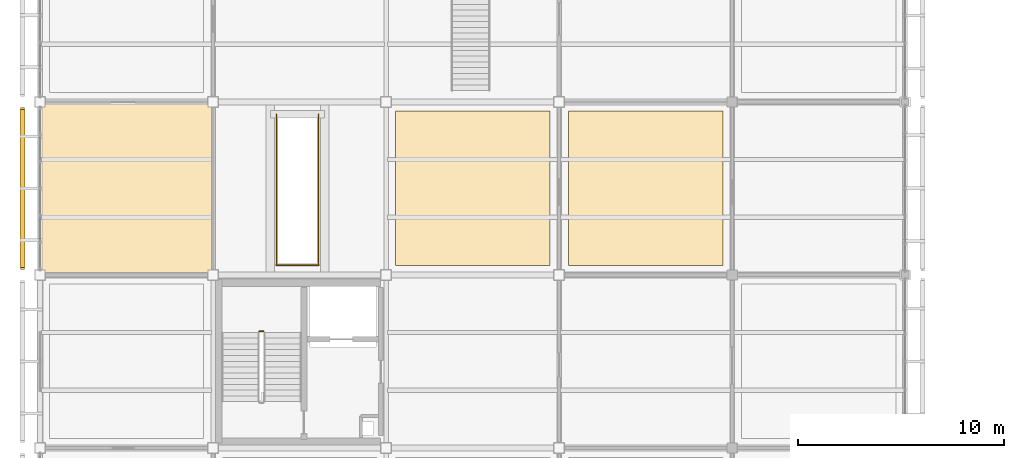
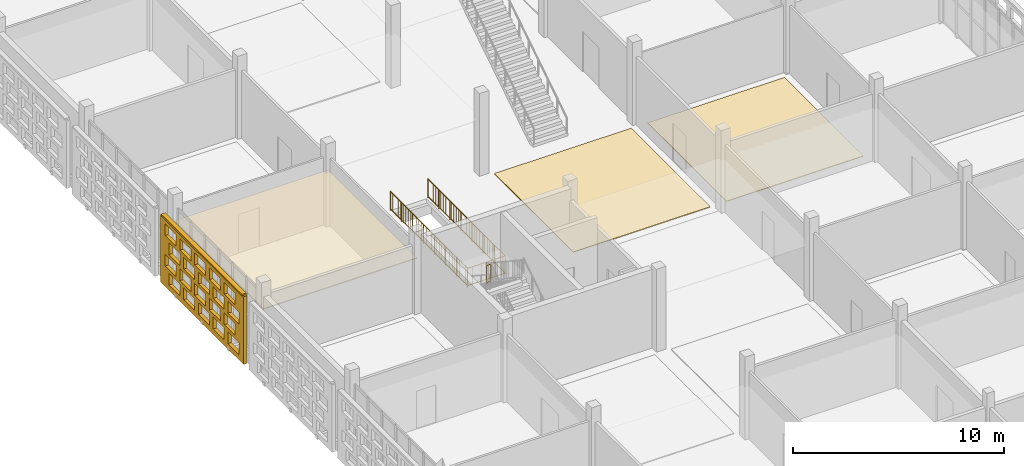
# One storey, part 157 of 203: 4 coverings, 4 railings, 1 shading device, 20 openings.
"""IFC4 building model written with IfcOpenShell, lengths in metres."""

from ifc_helpers import new_model, si_unit, direction, frame, frame_2d, origin, origin_2d, place, context, subcontext, project, spatial, rectangle, circle, extrude, material, layer, layer_set, type_object, element, save


model = new_model("IFC4")

# Units and contexts
model_context = context("Model", 3, precision=1e-05, world=origin(), true_north=direction((0.0, 1.0)))
body_context = subcontext(model_context, "Body", "Model", "MODEL_VIEW")
ifc_project = project(units=[si_unit("LENGTHUNIT", "METRE"), si_unit("AREAUNIT", "SQUARE_METRE"), si_unit("VOLUMEUNIT", "CUBIC_METRE"), si_unit("PLANEANGLEUNIT", "RADIAN"), si_unit("MASSUNIT", "GRAM", prefix="KILO")], contexts=[model_context])

# Site, building, storey
site_placement = place(None, origin())
site = spatial("IfcSite", under=ifc_project, at=site_placement, CompositionType="ELEMENT")
building_placement = place(site_placement, origin())
building = spatial("IfcBuilding", under=site, at=building_placement, Name="Varnapada Polytechnic", CompositionType="ELEMENT")
storey_placement = place(building_placement, frame((0.0, 0.0, 4.800048828125)))
storey = spatial("IfcBuildingStorey", under=building, at=storey_placement, Name="L01", CompositionType="ELEMENT", Elevation=4.800048828125)

# Coverings
ifc_material_1 = material(Name="Acoustic Rubber Seminar Flooring")
ifc_layer_1 = layer(ifc_material_1, 0.0400390625)
ifc_layer_set_1 = layer_set([ifc_layer_1], Name="Acoustic Rubber Seminar Flooring")
covering_type_1 = type_object("IfcCoveringType", Name="Floor Finish FLR-06", PredefinedType="FLOORING", material=ifc_layer_set_1)
for number, where, z_axis, x_axis, name in (
    (1, (21.0, 71.39990234375, 0.0), (0.0, 0.0, 1.0), (1.0, 0.0, 0.0), "L01 floor finish panel (3,9)"),
    (2, (29.39990234375, 71.39990234375, 0.0), (0.0, 0.0, 1.0), (1.0, 0.0, 0.0), "L01 floor finish panel (4,9)"),
):
    element("IfcCovering", number, at=place(storey_placement, frame(where, z_axis=z_axis, x_axis=x_axis)), inside=storey, type_object=covering_type_1, Name=name, PredefinedType="FLOORING", context=body_context, shape_type="SweptSolid", body=[
        extrude(rectangle(XDim=7.5, YDim=7.5, at=origin_2d()), origin(), (0.0, 0.0, 1.0), 0.0400390625),
    ])

# Railings
ifc_material_2 = material(Name="Brushed Stainless Steel 316", Category="steel")
railing_type = type_object("IfcRailingType", Name="Stair Well Guard Rail SGR-01", PredefinedType="BALUSTRADE", material=ifc_material_2)
railing_1_placement = place(storey_placement, frame((10.85009765625, 64.4599609375, 2.39990234375)))
element("IfcRailing", 3, at=railing_1_placement, inside=storey, type_object=railing_type, Name="L01 ST-2 stair guard 2", PredefinedType="BALUSTRADE", context=body_context, shape_type="SweptSolid", body=[
    extrude(circle(Radius=0.02392578125, at=origin_2d()), frame((0.0, 0.0, 1.09619140625), z_axis=(-1.0, 0.0, 0.0), x_axis=(0.0, -1.0, 0.0)), (0.0, 0.0, 1.0), 0.2001953125),
    extrude(circle(Radius=0.02392578125, at=origin_2d()), frame((0.0, 0.0, 0.10009765625), z_axis=(-1.0, 0.0, 0.0), x_axis=(0.0, -1.0, 0.0)), (0.0, 0.0, 1.0), 0.2001953125),
    extrude(circle(Radius=0.02099609375, at=origin_2d()), origin(), (0.0, 0.0, 1.0), 1.072021484375),
    extrude(circle(Radius=0.02099609375, at=origin_2d()), frame((-0.2001953125, 0.0, 0.0)), (0.0, 0.0, 1.0), 1.072021484375),
])
railing_2_placement = place(storey_placement, frame((11.469970703125, 67.679931640625, 0.0)))
element("IfcRailing", 4, at=railing_2_placement, inside=storey, type_object=railing_type, Name="L01 commons stair ST-F3 well guard 1", PredefinedType="BALUSTRADE", context=body_context, shape_type="SweptSolid", body=[
    extrude(circle(Radius=0.02392578125, at=origin_2d()), frame((0.0, 0.0, 1.09619140625), z_axis=(0.0, 1.0, 0.0), x_axis=(-1.0, 0.0, 0.0)), (0.0, 0.0, 1.0), 7.340087890625),
    extrude(circle(Radius=0.02392578125, at=origin_2d()), frame((0.0, 0.0, 0.10009765625), z_axis=(0.0, 1.0, 0.0), x_axis=(-1.0, 0.0, 0.0)), (0.0, 0.0, 1.0), 7.340087890625),
    extrude(circle(Radius=0.02099609375, at=origin_2d()), origin(), (0.0, 0.0, 1.0), 1.072021484375),
    extrude(circle(Radius=0.02099609375, at=origin_2d()), frame((0.0, 1.048583984375, 0.0)), (0.0, 0.0, 1.0), 1.072021484375),
    extrude(circle(Radius=0.02099609375, at=origin_2d()), frame((0.0, 2.09716796875, 0.0)), (0.0, 0.0, 1.0), 1.072021484375),
    extrude(circle(Radius=0.02099609375, at=origin_2d()), frame((0.0, 3.145751953125, 0.0)), (0.0, 0.0, 1.0), 1.072021484375),
    extrude(circle(Radius=0.02099609375, at=origin_2d()), frame((0.0, 4.1943359375, 0.0)), (0.0, 0.0, 1.0), 1.072021484375),
    extrude(circle(Radius=0.02099609375, at=origin_2d()), frame((0.0, 5.242919921875, 0.0)), (0.0, 0.0, 1.0), 1.072021484375),
    extrude(circle(Radius=0.02099609375, at=origin_2d()), frame((0.0, 6.29150390625, 0.0)), (0.0, 0.0, 1.0), 1.072021484375),
    extrude(circle(Radius=0.02099609375, at=origin_2d()), frame((0.0, 7.340087890625, 0.0)), (0.0, 0.0, 1.0), 1.072021484375),
    extrude(circle(Radius=0.010009765625, at=origin_2d()), frame((0.0, 0.24462890625, 0.10009765625)), (0.0, 0.0, 1.0), 0.971923828125),
    extrude(circle(Radius=0.010009765625, at=origin_2d()), frame((0.0, 0.4892578125, 0.10009765625)), (0.0, 0.0, 1.0), 0.971923828125),
    extrude(circle(Radius=0.010009765625, at=origin_2d()), frame((0.0, 0.73388671875, 0.10009765625)), (0.0, 0.0, 1.0), 0.971923828125),
    extrude(circle(Radius=0.010009765625, at=origin_2d()), frame((0.0, 0.978759765625, 0.10009765625)), (0.0, 0.0, 1.0), 0.971923828125),
    extrude(circle(Radius=0.010009765625, at=origin_2d()), frame((0.0, 1.223388671875, 0.10009765625)), (0.0, 0.0, 1.0), 0.971923828125),
    extrude(circle(Radius=0.010009765625, at=origin_2d()), frame((0.0, 1.468017578125, 0.10009765625)), (0.0, 0.0, 1.0), 0.971923828125),
    extrude(circle(Radius=0.010009765625, at=origin_2d()), frame((0.0, 1.712646484375, 0.10009765625)), (0.0, 0.0, 1.0), 0.971923828125),
    extrude(circle(Radius=0.010009765625, at=origin_2d()), frame((0.0, 1.957275390625, 0.10009765625)), (0.0, 0.0, 1.0), 0.971923828125),
    extrude(circle(Radius=0.010009765625, at=origin_2d()), frame((0.0, 2.2021484375, 0.10009765625)), (0.0, 0.0, 1.0), 0.971923828125),
    extrude(circle(Radius=0.010009765625, at=origin_2d()), frame((0.0, 2.44677734375, 0.10009765625)), (0.0, 0.0, 1.0), 0.971923828125),
    extrude(circle(Radius=0.010009765625, at=origin_2d()), frame((0.0, 2.69140625, 0.10009765625)), (0.0, 0.0, 1.0), 0.971923828125),
    extrude(circle(Radius=0.010009765625, at=origin_2d()), frame((0.0, 2.93603515625, 0.10009765625)), (0.0, 0.0, 1.0), 0.971923828125),
    extrude(circle(Radius=0.010009765625, at=origin_2d()), frame((0.0, 3.1806640625, 0.10009765625)), (0.0, 0.0, 1.0), 0.971923828125),
    extrude(circle(Radius=0.010009765625, at=origin_2d()), frame((0.0, 3.42529296875, 0.10009765625)), (0.0, 0.0, 1.0), 0.971923828125),
    extrude(circle(Radius=0.010009765625, at=origin_2d()), frame((0.0, 3.669921875, 0.10009765625)), (0.0, 0.0, 1.0), 0.971923828125),
    extrude(circle(Radius=0.010009765625, at=origin_2d()), frame((0.0, 3.914794921875, 0.10009765625)), (0.0, 0.0, 1.0), 0.971923828125),
    extrude(circle(Radius=0.010009765625, at=origin_2d()), frame((0.0, 4.159423828125, 0.10009765625)), (0.0, 0.0, 1.0), 0.971923828125),
    extrude(circle(Radius=0.010009765625, at=origin_2d()), frame((0.0, 4.404052734375, 0.10009765625)), (0.0, 0.0, 1.0), 0.971923828125),
    extrude(circle(Radius=0.010009765625, at=origin_2d()), frame((0.0, 4.648681640625, 0.10009765625)), (0.0, 0.0, 1.0), 0.971923828125),
    extrude(circle(Radius=0.010009765625, at=origin_2d()), frame((0.0, 4.893310546875, 0.10009765625)), (0.0, 0.0, 1.0), 0.971923828125),
    extrude(circle(Radius=0.010009765625, at=origin_2d()), frame((0.0, 5.13818359375, 0.10009765625)), (0.0, 0.0, 1.0), 0.971923828125),
    extrude(circle(Radius=0.010009765625, at=origin_2d()), frame((0.0, 5.3828125, 0.10009765625)), (0.0, 0.0, 1.0), 0.971923828125),
    extrude(circle(Radius=0.010009765625, at=origin_2d()), frame((0.0, 5.62744140625, 0.10009765625)), (0.0, 0.0, 1.0), 0.971923828125),
    extrude(circle(Radius=0.010009765625, at=origin_2d()), frame((0.0, 5.8720703125, 0.10009765625)), (0.0, 0.0, 1.0), 0.971923828125),
    extrude(circle(Radius=0.010009765625, at=origin_2d()), frame((0.0, 6.11669921875, 0.10009765625)), (0.0, 0.0, 1.0), 0.971923828125),
    extrude(circle(Radius=0.010009765625, at=origin_2d()), frame((0.0, 6.361328125, 0.10009765625)), (0.0, 0.0, 1.0), 0.971923828125),
    extrude(circle(Radius=0.010009765625, at=origin_2d()), frame((0.0, 6.60595703125, 0.10009765625)), (0.0, 0.0, 1.0), 0.971923828125),
    extrude(circle(Radius=0.010009765625, at=origin_2d()), frame((0.0, 6.850830078125, 0.10009765625)), (0.0, 0.0, 1.0), 0.971923828125),
    extrude(circle(Radius=0.010009765625, at=origin_2d()), frame((0.0, 7.095458984375, 0.10009765625)), (0.0, 0.0, 1.0), 0.971923828125),
])
railing_3_placement = place(storey_placement, frame((13.530029296875, 67.679931640625, 0.0)))
element("IfcRailing", 5, at=railing_3_placement, inside=storey, type_object=railing_type, Name="L01 commons stair ST-F3 well guard 2", PredefinedType="BALUSTRADE", context=body_context, shape_type="SweptSolid", body=[
    extrude(circle(Radius=0.02392578125, at=origin_2d()), frame((0.0, 0.0, 1.09619140625), z_axis=(0.0, 1.0, 0.0), x_axis=(-1.0, 0.0, 0.0)), (0.0, 0.0, 1.0), 7.340087890625),
    extrude(circle(Radius=0.02392578125, at=origin_2d()), frame((0.0, 0.0, 0.10009765625), z_axis=(0.0, 1.0, 0.0), x_axis=(-1.0, 0.0, 0.0)), (0.0, 0.0, 1.0), 7.340087890625),
    extrude(circle(Radius=0.02099609375, at=origin_2d()), origin(), (0.0, 0.0, 1.0), 1.072021484375),
    extrude(circle(Radius=0.02099609375, at=origin_2d()), frame((0.0, 1.048583984375, 0.0)), (0.0, 0.0, 1.0), 1.072021484375),
    extrude(circle(Radius=0.02099609375, at=origin_2d()), frame((0.0, 2.09716796875, 0.0)), (0.0, 0.0, 1.0), 1.072021484375),
    extrude(circle(Radius=0.02099609375, at=origin_2d()), frame((0.0, 3.145751953125, 0.0)), (0.0, 0.0, 1.0), 1.072021484375),
    extrude(circle(Radius=0.02099609375, at=origin_2d()), frame((0.0, 4.1943359375, 0.0)), (0.0, 0.0, 1.0), 1.072021484375),
    extrude(circle(Radius=0.02099609375, at=origin_2d()), frame((0.0, 5.242919921875, 0.0)), (0.0, 0.0, 1.0), 1.072021484375),
    extrude(circle(Radius=0.02099609375, at=origin_2d()), frame((0.0, 6.29150390625, 0.0)), (0.0, 0.0, 1.0), 1.072021484375),
    extrude(circle(Radius=0.02099609375, at=origin_2d()), frame((0.0, 7.340087890625, 0.0)), (0.0, 0.0, 1.0), 1.072021484375),
    extrude(circle(Radius=0.010009765625, at=origin_2d()), frame((0.0, 0.24462890625, 0.10009765625)), (0.0, 0.0, 1.0), 0.971923828125),
    extrude(circle(Radius=0.010009765625, at=origin_2d()), frame((0.0, 0.4892578125, 0.10009765625)), (0.0, 0.0, 1.0), 0.971923828125),
    extrude(circle(Radius=0.010009765625, at=origin_2d()), frame((0.0, 0.73388671875, 0.10009765625)), (0.0, 0.0, 1.0), 0.971923828125),
    extrude(circle(Radius=0.010009765625, at=origin_2d()), frame((0.0, 0.978759765625, 0.10009765625)), (0.0, 0.0, 1.0), 0.971923828125),
    extrude(circle(Radius=0.010009765625, at=origin_2d()), frame((0.0, 1.223388671875, 0.10009765625)), (0.0, 0.0, 1.0), 0.971923828125),
    extrude(circle(Radius=0.010009765625, at=origin_2d()), frame((0.0, 1.468017578125, 0.10009765625)), (0.0, 0.0, 1.0), 0.971923828125),
    extrude(circle(Radius=0.010009765625, at=origin_2d()), frame((0.0, 1.712646484375, 0.10009765625)), (0.0, 0.0, 1.0), 0.971923828125),
    extrude(circle(Radius=0.010009765625, at=origin_2d()), frame((0.0, 1.957275390625, 0.10009765625)), (0.0, 0.0, 1.0), 0.971923828125),
    extrude(circle(Radius=0.010009765625, at=origin_2d()), frame((0.0, 2.2021484375, 0.10009765625)), (0.0, 0.0, 1.0), 0.971923828125),
    extrude(circle(Radius=0.010009765625, at=origin_2d()), frame((0.0, 2.44677734375, 0.10009765625)), (0.0, 0.0, 1.0), 0.971923828125),
    extrude(circle(Radius=0.010009765625, at=origin_2d()), frame((0.0, 2.69140625, 0.10009765625)), (0.0, 0.0, 1.0), 0.971923828125),
    extrude(circle(Radius=0.010009765625, at=origin_2d()), frame((0.0, 2.93603515625, 0.10009765625)), (0.0, 0.0, 1.0), 0.971923828125),
    extrude(circle(Radius=0.010009765625, at=origin_2d()), frame((0.0, 3.1806640625, 0.10009765625)), (0.0, 0.0, 1.0), 0.971923828125),
    extrude(circle(Radius=0.010009765625, at=origin_2d()), frame((0.0, 3.42529296875, 0.10009765625)), (0.0, 0.0, 1.0), 0.971923828125),
    extrude(circle(Radius=0.010009765625, at=origin_2d()), frame((0.0, 3.669921875, 0.10009765625)), (0.0, 0.0, 1.0), 0.971923828125),
    extrude(circle(Radius=0.010009765625, at=origin_2d()), frame((0.0, 3.914794921875, 0.10009765625)), (0.0, 0.0, 1.0), 0.971923828125),
    extrude(circle(Radius=0.010009765625, at=origin_2d()), frame((0.0, 4.159423828125, 0.10009765625)), (0.0, 0.0, 1.0), 0.971923828125),
    extrude(circle(Radius=0.010009765625, at=origin_2d()), frame((0.0, 4.404052734375, 0.10009765625)), (0.0, 0.0, 1.0), 0.971923828125),
    extrude(circle(Radius=0.010009765625, at=origin_2d()), frame((0.0, 4.648681640625, 0.10009765625)), (0.0, 0.0, 1.0), 0.971923828125),
    extrude(circle(Radius=0.010009765625, at=origin_2d()), frame((0.0, 4.893310546875, 0.10009765625)), (0.0, 0.0, 1.0), 0.971923828125),
    extrude(circle(Radius=0.010009765625, at=origin_2d()), frame((0.0, 5.13818359375, 0.10009765625)), (0.0, 0.0, 1.0), 0.971923828125),
    extrude(circle(Radius=0.010009765625, at=origin_2d()), frame((0.0, 5.3828125, 0.10009765625)), (0.0, 0.0, 1.0), 0.971923828125),
    extrude(circle(Radius=0.010009765625, at=origin_2d()), frame((0.0, 5.62744140625, 0.10009765625)), (0.0, 0.0, 1.0), 0.971923828125),
    extrude(circle(Radius=0.010009765625, at=origin_2d()), frame((0.0, 5.8720703125, 0.10009765625)), (0.0, 0.0, 1.0), 0.971923828125),
    extrude(circle(Radius=0.010009765625, at=origin_2d()), frame((0.0, 6.11669921875, 0.10009765625)), (0.0, 0.0, 1.0), 0.971923828125),
    extrude(circle(Radius=0.010009765625, at=origin_2d()), frame((0.0, 6.361328125, 0.10009765625)), (0.0, 0.0, 1.0), 0.971923828125),
    extrude(circle(Radius=0.010009765625, at=origin_2d()), frame((0.0, 6.60595703125, 0.10009765625)), (0.0, 0.0, 1.0), 0.971923828125),
    extrude(circle(Radius=0.010009765625, at=origin_2d()), frame((0.0, 6.850830078125, 0.10009765625)), (0.0, 0.0, 1.0), 0.971923828125),
    extrude(circle(Radius=0.010009765625, at=origin_2d()), frame((0.0, 7.095458984375, 0.10009765625)), (0.0, 0.0, 1.0), 0.971923828125),
])
railing_4_placement = place(storey_placement, frame((11.469970703125, 67.679931640625, 0.0)))
element("IfcRailing", 6, at=railing_4_placement, inside=storey, type_object=railing_type, Name="L01 commons stair ST-F3 well guard 3", PredefinedType="BALUSTRADE", context=body_context, shape_type="SweptSolid", body=[
    extrude(circle(Radius=0.02392578125, at=origin_2d()), frame((0.0, 0.0, 1.09619140625), z_axis=(1.0, 0.0, 0.0), x_axis=(0.0, 1.0, 0.0)), (0.0, 0.0, 1.0), 2.06005859375),
    extrude(circle(Radius=0.02392578125, at=origin_2d()), frame((0.0, 0.0, 0.10009765625), z_axis=(1.0, 0.0, 0.0), x_axis=(0.0, 1.0, 0.0)), (0.0, 0.0, 1.0), 2.06005859375),
    extrude(circle(Radius=0.02099609375, at=origin_2d()), origin(), (0.0, 0.0, 1.0), 1.072021484375),
    extrude(circle(Radius=0.02099609375, at=origin_2d()), frame((1.030029296875, 0.0, 0.0)), (0.0, 0.0, 1.0), 1.072021484375),
    extrude(circle(Radius=0.02099609375, at=origin_2d()), frame((2.06005859375, 0.0, 0.0)), (0.0, 0.0, 1.0), 1.072021484375),
    extrude(circle(Radius=0.010009765625, at=origin_2d()), frame((0.257568359375, 0.0, 0.10009765625)), (0.0, 0.0, 1.0), 0.971923828125),
    extrude(circle(Radius=0.010009765625, at=origin_2d()), frame((0.51513671875, 0.0, 0.10009765625)), (0.0, 0.0, 1.0), 0.971923828125),
    extrude(circle(Radius=0.010009765625, at=origin_2d()), frame((0.7724609375, 0.0, 0.10009765625)), (0.0, 0.0, 1.0), 0.971923828125),
    extrude(circle(Radius=0.010009765625, at=origin_2d()), frame((1.030029296875, 0.0, 0.10009765625)), (0.0, 0.0, 1.0), 0.971923828125),
    extrude(circle(Radius=0.010009765625, at=origin_2d()), frame((1.28759765625, 0.0, 0.10009765625)), (0.0, 0.0, 1.0), 0.971923828125),
    extrude(circle(Radius=0.010009765625, at=origin_2d()), frame((1.544921875, 0.0, 0.10009765625)), (0.0, 0.0, 1.0), 0.971923828125),
    extrude(circle(Radius=0.010009765625, at=origin_2d()), frame((1.802490234375, 0.0, 0.10009765625)), (0.0, 0.0, 1.0), 0.971923828125),
])

# Covering
ifc_material_3 = material(Name="Slatted Merbau Timber Acoustic Ceiling", Category="wood")
ifc_layer_2 = layer(ifc_material_3, 0.054931640625)
ifc_layer_set_2 = layer_set([ifc_layer_2], Name="Slatted Merbau Timber Acoustic Ceiling")
covering_type_2 = type_object("IfcCoveringType", Name="Suspended Ceiling CLG-05", PredefinedType="CEILING", material=ifc_layer_set_2)
covering_1_placement = place(storey_placement, frame((4.199951171875, 71.39990234375, 3.0224609375), z_axis=(0.0, 0.0, 1.0), x_axis=(1.0, 0.0, 0.0)))
element("IfcCovering", 7, at=covering_1_placement, inside=storey, type_object=covering_type_2, Name="L01 suspended acoustic ceiling (1,9)", PredefinedType="CEILING", context=body_context, shape_type="SweptSolid", body=[
    extrude(rectangle(XDim=8.419921875, YDim=8.419921875, at=origin_2d()), origin(), (0.0, 0.0, 1.0), 0.054931640625),
])

# Covering, openings
ifc_material_4 = material(Name="Earth-toned architectural terracotta screen block", Category="masonry")
ifc_layer_3 = layer(ifc_material_4, 0.1201171875)
ifc_layer_set_3 = layer_set([ifc_layer_3], Name="Earth-toned architectural terracotta screen block")
covering_type_3 = type_object("IfcCoveringType", Name="Terracotta Screen Cladding CLD-01", PredefinedType="CLADDING", material=ifc_layer_set_3)
covering_2_placement = place(storey_placement, frame((-0.85009765625, 67.4599609375, 0.0), z_axis=(0.0, 0.0, 1.0), x_axis=(0.0, 1.0, 0.0)))
covering_2 = element("IfcCovering", 8, at=covering_2_placement, inside=storey, type_object=covering_type_3, Name="L01 perforated terracotta block screen (5)", PredefinedType="CLADDING", context=body_context, shape_type="SweptSolid", body=[
    extrude(rectangle(XDim=7.880126953125, YDim=0.179931640625, at=frame_2d((3.93994140625, 0.0))), origin(), (0.0, 0.0, 1.0), 3.919921875),
])
opening_1_placement = place(covering_2_placement, frame((0.43994140625, 0.0, 0.313720703125)))
element("IfcOpeningElement", 9, at=opening_1_placement, cuts=covering_2, Name="Screen perforation TBS-L01-004.1", PredefinedType="OPENING", context=body_context, shape_type="SweptSolid", body=[
    extrude(rectangle(XDim=1.0400390625, YDim=0.679931640625, at=frame_2d((0.52001953125, 0.33984375))), frame((0.0, 0.099853515625, 0.0), z_axis=(0.0, -1.0, 0.0), x_axis=(1.0, 0.0, 0.0)), (0.0, 0.0, 1.0), 0.199951171875),
])
opening_2_placement = place(covering_2_placement, frame((1.840087890625, 0.0, 0.313720703125)))
element("IfcOpeningElement", 10, at=opening_2_placement, cuts=covering_2, Name="Screen perforation TBS-L01-004.2", PredefinedType="OPENING", context=body_context, shape_type="SweptSolid", body=[
    extrude(rectangle(XDim=1.0400390625, YDim=0.679931640625, at=frame_2d((0.52001953125, 0.33984375))), frame((0.0, 0.099853515625, 0.0), z_axis=(0.0, -1.0, 0.0), x_axis=(1.0, 0.0, 0.0)), (0.0, 0.0, 1.0), 0.199951171875),
])
opening_3_placement = place(covering_2_placement, frame((3.239990234375, 0.0, 0.313720703125)))
element("IfcOpeningElement", 11, at=opening_3_placement, cuts=covering_2, Name="Screen perforation TBS-L01-004.3", PredefinedType="OPENING", context=body_context, shape_type="SweptSolid", body=[
    extrude(rectangle(XDim=1.0400390625, YDim=0.679931640625, at=frame_2d((0.52001953125, 0.33984375))), frame((0.0, 0.099853515625, 0.0), z_axis=(0.0, -1.0, 0.0), x_axis=(1.0, 0.0, 0.0)), (0.0, 0.0, 1.0), 0.199951171875),
])
opening_4_placement = place(covering_2_placement, frame((4.639892578125, 0.0, 0.313720703125)))
element("IfcOpeningElement", 12, at=opening_4_placement, cuts=covering_2, Name="Screen perforation TBS-L01-004.4", PredefinedType="OPENING", context=body_context, shape_type="SweptSolid", body=[
    extrude(rectangle(XDim=1.0400390625, YDim=0.679931640625, at=frame_2d((0.52001953125, 0.33984375))), frame((0.0, 0.099853515625, 0.0), z_axis=(0.0, -1.0, 0.0), x_axis=(1.0, 0.0, 0.0)), (0.0, 0.0, 1.0), 0.199951171875),
])
opening_5_placement = place(covering_2_placement, frame((6.0400390625, 0.0, 0.313720703125)))
element("IfcOpeningElement", 13, at=opening_5_placement, cuts=covering_2, Name="Screen perforation TBS-L01-004.5", PredefinedType="OPENING", context=body_context, shape_type="SweptSolid", body=[
    extrude(rectangle(XDim=1.0400390625, YDim=0.679931640625, at=frame_2d((0.52001953125, 0.33984375))), frame((0.0, 0.099853515625, 0.0), z_axis=(0.0, -1.0, 0.0), x_axis=(1.0, 0.0, 0.0)), (0.0, 0.0, 1.0), 0.199951171875),
])
opening_6_placement = place(covering_2_placement, frame((0.800048828125, 0.0, 1.195556640625)))
element("IfcOpeningElement", 14, at=opening_6_placement, cuts=covering_2, Name="Screen perforation TBS-L01-004.6", PredefinedType="OPENING", context=body_context, shape_type="SweptSolid", body=[
    extrude(rectangle(XDim=1.0400390625, YDim=0.679931640625, at=frame_2d((0.52001953125, 0.33984375))), frame((0.0, 0.099853515625, 0.0), z_axis=(0.0, -1.0, 0.0), x_axis=(1.0, 0.0, 0.0)), (0.0, 0.0, 1.0), 0.199951171875),
])
opening_7_placement = place(covering_2_placement, frame((2.199951171875, 0.0, 1.195556640625)))
element("IfcOpeningElement", 15, at=opening_7_placement, cuts=covering_2, Name="Screen perforation TBS-L01-004.7", PredefinedType="OPENING", context=body_context, shape_type="SweptSolid", body=[
    extrude(rectangle(XDim=1.0400390625, YDim=0.679931640625, at=frame_2d((0.52001953125, 0.33984375))), frame((0.0, 0.099853515625, 0.0), z_axis=(0.0, -1.0, 0.0), x_axis=(1.0, 0.0, 0.0)), (0.0, 0.0, 1.0), 0.199951171875),
])
opening_8_placement = place(covering_2_placement, frame((3.60009765625, 0.0, 1.195556640625)))
element("IfcOpeningElement", 16, at=opening_8_placement, cuts=covering_2, Name="Screen perforation TBS-L01-004.8", PredefinedType="OPENING", context=body_context, shape_type="SweptSolid", body=[
    extrude(rectangle(XDim=1.0400390625, YDim=0.679931640625, at=frame_2d((0.52001953125, 0.33984375))), frame((0.0, 0.099853515625, 0.0), z_axis=(0.0, -1.0, 0.0), x_axis=(1.0, 0.0, 0.0)), (0.0, 0.0, 1.0), 0.199951171875),
])
opening_9_placement = place(covering_2_placement, frame((5.0, 0.0, 1.195556640625)))
element("IfcOpeningElement", 17, at=opening_9_placement, cuts=covering_2, Name="Screen perforation TBS-L01-004.9", PredefinedType="OPENING", context=body_context, shape_type="SweptSolid", body=[
    extrude(rectangle(XDim=1.0400390625, YDim=0.679931640625, at=frame_2d((0.52001953125, 0.33984375))), frame((0.0, 0.099853515625, 0.0), z_axis=(0.0, -1.0, 0.0), x_axis=(1.0, 0.0, 0.0)), (0.0, 0.0, 1.0), 0.199951171875),
])
opening_10_placement = place(covering_2_placement, frame((6.39990234375, 0.0, 1.195556640625)))
element("IfcOpeningElement", 18, at=opening_10_placement, cuts=covering_2, Name="Screen perforation TBS-L01-004.10", PredefinedType="OPENING", context=body_context, shape_type="SweptSolid", body=[
    extrude(rectangle(XDim=1.0400390625, YDim=0.679931640625, at=frame_2d((0.52001953125, 0.33984375))), frame((0.0, 0.099853515625, 0.0), z_axis=(0.0, -1.0, 0.0), x_axis=(1.0, 0.0, 0.0)), (0.0, 0.0, 1.0), 0.199951171875),
])
opening_11_placement = place(covering_2_placement, frame((0.43994140625, 0.0, 2.07763671875)))
element("IfcOpeningElement", 19, at=opening_11_placement, cuts=covering_2, Name="Screen perforation TBS-L01-004.11", PredefinedType="OPENING", context=body_context, shape_type="SweptSolid", body=[
    extrude(rectangle(XDim=1.0400390625, YDim=0.679931640625, at=frame_2d((0.52001953125, 0.33984375))), frame((0.0, 0.099853515625, 0.0), z_axis=(0.0, -1.0, 0.0), x_axis=(1.0, 0.0, 0.0)), (0.0, 0.0, 1.0), 0.199951171875),
])
opening_12_placement = place(covering_2_placement, frame((1.840087890625, 0.0, 2.07763671875)))
element("IfcOpeningElement", 20, at=opening_12_placement, cuts=covering_2, Name="Screen perforation TBS-L01-004.12", PredefinedType="OPENING", context=body_context, shape_type="SweptSolid", body=[
    extrude(rectangle(XDim=1.0400390625, YDim=0.679931640625, at=frame_2d((0.52001953125, 0.33984375))), frame((0.0, 0.099853515625, 0.0), z_axis=(0.0, -1.0, 0.0), x_axis=(1.0, 0.0, 0.0)), (0.0, 0.0, 1.0), 0.199951171875),
])
opening_13_placement = place(covering_2_placement, frame((3.239990234375, 0.0, 2.07763671875)))
element("IfcOpeningElement", 21, at=opening_13_placement, cuts=covering_2, Name="Screen perforation TBS-L01-004.13", PredefinedType="OPENING", context=body_context, shape_type="SweptSolid", body=[
    extrude(rectangle(XDim=1.0400390625, YDim=0.679931640625, at=frame_2d((0.52001953125, 0.33984375))), frame((0.0, 0.099853515625, 0.0), z_axis=(0.0, -1.0, 0.0), x_axis=(1.0, 0.0, 0.0)), (0.0, 0.0, 1.0), 0.199951171875),
])
opening_14_placement = place(covering_2_placement, frame((4.639892578125, 0.0, 2.07763671875)))
element("IfcOpeningElement", 22, at=opening_14_placement, cuts=covering_2, Name="Screen perforation TBS-L01-004.14", PredefinedType="OPENING", context=body_context, shape_type="SweptSolid", body=[
    extrude(rectangle(XDim=1.0400390625, YDim=0.679931640625, at=frame_2d((0.52001953125, 0.33984375))), frame((0.0, 0.099853515625, 0.0), z_axis=(0.0, -1.0, 0.0), x_axis=(1.0, 0.0, 0.0)), (0.0, 0.0, 1.0), 0.199951171875),
])
opening_15_placement = place(covering_2_placement, frame((6.0400390625, 0.0, 2.07763671875)))
element("IfcOpeningElement", 23, at=opening_15_placement, cuts=covering_2, Name="Screen perforation TBS-L01-004.15", PredefinedType="OPENING", context=body_context, shape_type="SweptSolid", body=[
    extrude(rectangle(XDim=1.0400390625, YDim=0.679931640625, at=frame_2d((0.52001953125, 0.33984375))), frame((0.0, 0.099853515625, 0.0), z_axis=(0.0, -1.0, 0.0), x_axis=(1.0, 0.0, 0.0)), (0.0, 0.0, 1.0), 0.199951171875),
])
opening_16_placement = place(covering_2_placement, frame((0.800048828125, 0.0, 2.959716796875)))
element("IfcOpeningElement", 24, at=opening_16_placement, cuts=covering_2, Name="Screen perforation TBS-L01-004.16", PredefinedType="OPENING", context=body_context, shape_type="SweptSolid", body=[
    extrude(rectangle(XDim=1.0400390625, YDim=0.679931640625, at=frame_2d((0.52001953125, 0.33984375))), frame((0.0, 0.099853515625, 0.0), z_axis=(0.0, -1.0, 0.0), x_axis=(1.0, 0.0, 0.0)), (0.0, 0.0, 1.0), 0.199951171875),
])
opening_17_placement = place(covering_2_placement, frame((2.199951171875, 0.0, 2.959716796875)))
element("IfcOpeningElement", 25, at=opening_17_placement, cuts=covering_2, Name="Screen perforation TBS-L01-004.17", PredefinedType="OPENING", context=body_context, shape_type="SweptSolid", body=[
    extrude(rectangle(XDim=1.0400390625, YDim=0.679931640625, at=frame_2d((0.52001953125, 0.33984375))), frame((0.0, 0.099853515625, 0.0), z_axis=(0.0, -1.0, 0.0), x_axis=(1.0, 0.0, 0.0)), (0.0, 0.0, 1.0), 0.199951171875),
])
opening_18_placement = place(covering_2_placement, frame((3.60009765625, 0.0, 2.959716796875)))
element("IfcOpeningElement", 26, at=opening_18_placement, cuts=covering_2, Name="Screen perforation TBS-L01-004.18", PredefinedType="OPENING", context=body_context, shape_type="SweptSolid", body=[
    extrude(rectangle(XDim=1.0400390625, YDim=0.679931640625, at=frame_2d((0.52001953125, 0.33984375))), frame((0.0, 0.099853515625, 0.0), z_axis=(0.0, -1.0, 0.0), x_axis=(1.0, 0.0, 0.0)), (0.0, 0.0, 1.0), 0.199951171875),
])
opening_19_placement = place(covering_2_placement, frame((5.0, 0.0, 2.959716796875)))
element("IfcOpeningElement", 27, at=opening_19_placement, cuts=covering_2, Name="Screen perforation TBS-L01-004.19", PredefinedType="OPENING", context=body_context, shape_type="SweptSolid", body=[
    extrude(rectangle(XDim=1.0400390625, YDim=0.679931640625, at=frame_2d((0.52001953125, 0.33984375))), frame((0.0, 0.099853515625, 0.0), z_axis=(0.0, -1.0, 0.0), x_axis=(1.0, 0.0, 0.0)), (0.0, 0.0, 1.0), 0.199951171875),
])
opening_20_placement = place(covering_2_placement, frame((6.39990234375, 0.0, 2.959716796875)))
element("IfcOpeningElement", 28, at=opening_20_placement, cuts=covering_2, Name="Screen perforation TBS-L01-004.20", PredefinedType="OPENING", context=body_context, shape_type="SweptSolid", body=[
    extrude(rectangle(XDim=1.0400390625, YDim=0.679931640625, at=frame_2d((0.52001953125, 0.33984375))), frame((0.0, 0.099853515625, 0.0), z_axis=(0.0, -1.0, 0.0), x_axis=(1.0, 0.0, 0.0)), (0.0, 0.0, 1.0), 0.199951171875),
])

# Shading device
ifc_layer_4 = layer(ifc_material_4, 0.179931640625)
ifc_layer_set_4 = layer_set([ifc_layer_4], Name="Earth-toned architectural terracotta screen block")
shading_device_type = type_object("IfcShadingDeviceType", Name="Terracotta Screen SCR-02", PredefinedType="USERDEFINED", material=ifc_layer_set_4)
shading_device_placement = place(storey_placement, frame((-0.85009765625, 71.39990234375, 3.909912109375), z_axis=(0.0, 0.0, 1.0), x_axis=(0.0, 1.0, 0.0)))
element("IfcShadingDevice", 29, at=shading_device_placement, inside=storey, type_object=shading_device_type, Name="L01 perforated terracotta screen hood 88", ObjectType="SCREEN", PredefinedType="USERDEFINED", context=body_context, shape_type="SweptSolid", body=[
    extrude(rectangle(XDim=7.679931640625, YDim=0.239990234375, at=origin_2d()), origin(), (0.0, 0.0, 1.0), 0.10009765625),
])

save(model, "model.ifc")
